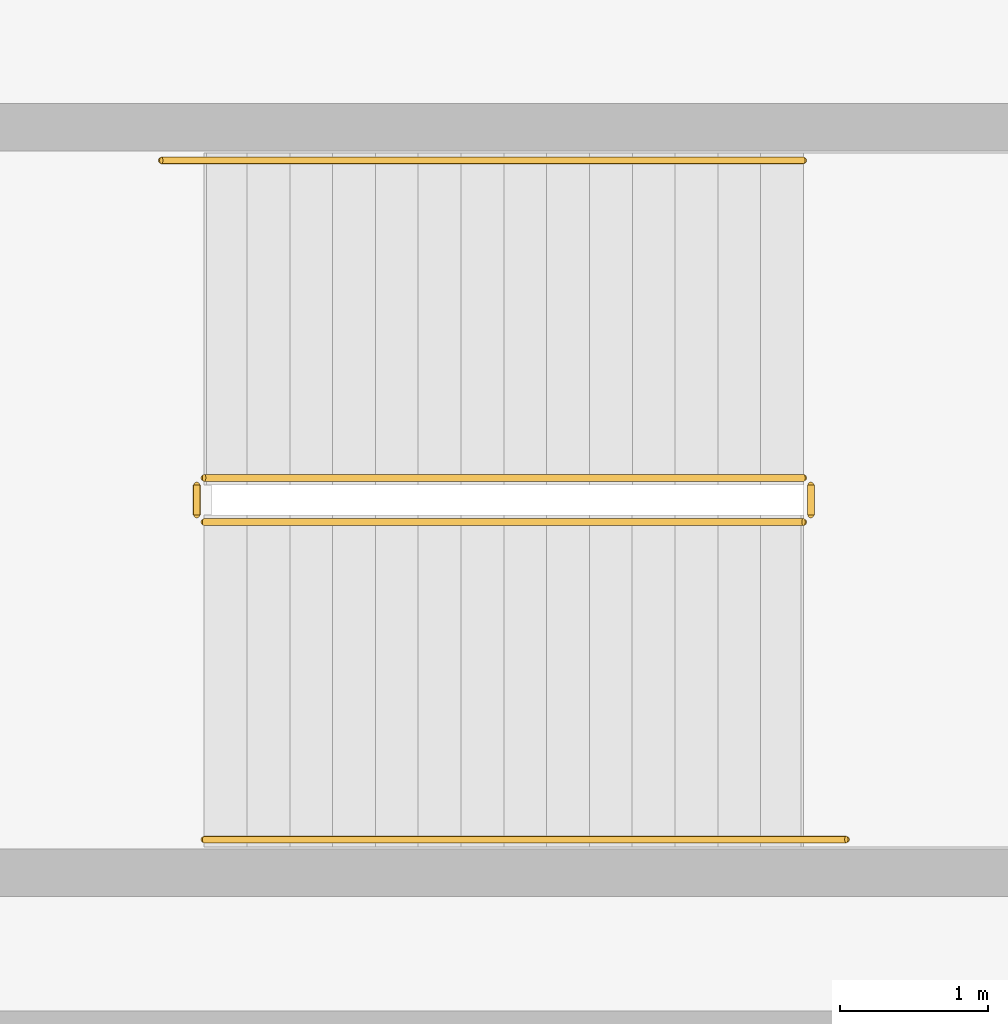
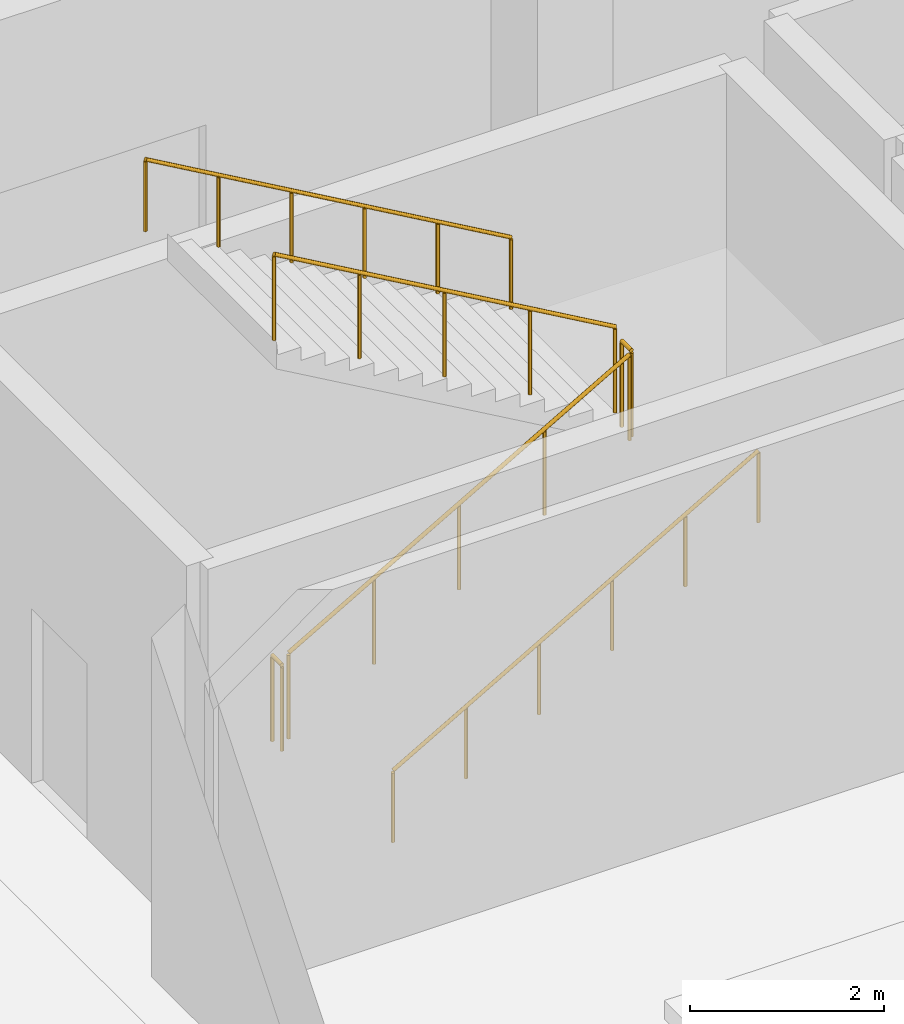
# One storey, part 85 of 88: 6 railings.
"""IFC4 building model written with IfcOpenShell, lengths in metres."""

from ifc_helpers import new_model, si_unit, direction, frame, origin, origin_2d, place, context, subcontext, project, spatial, circle, extrude, material, type_object, element, save


model = new_model("IFC4")

# Units and contexts
model_context = context("Model", 3, precision=1e-05, world=origin(), true_north=direction((0.0, 1.0)))
body_context = subcontext(model_context, "Body", "Model", "MODEL_VIEW")
ifc_project = project(units=[si_unit("LENGTHUNIT", "METRE"), si_unit("AREAUNIT", "SQUARE_METRE"), si_unit("VOLUMEUNIT", "CUBIC_METRE"), si_unit("PLANEANGLEUNIT", "RADIAN"), si_unit("MASSUNIT", "GRAM", prefix="KILO")], contexts=[model_context])

# Site, building, storey
site_placement = place(None, origin())
site = spatial("IfcSite", under=ifc_project, at=site_placement, CompositionType="ELEMENT")
building_placement = place(site_placement, origin())
building = spatial("IfcBuilding", under=site, at=building_placement, Name="Trimount Lyric Opera House", CompositionType="ELEMENT")
storey_placement = place(building_placement, origin())
storey = spatial("IfcBuildingStorey", under=building, at=storey_placement, Name="L00", CompositionType="ELEMENT", Elevation=0.0)

# Railings
ifc_material_1 = material(Name="Brushed Stainless Steel 316", Category="steel")
railing_type_1 = type_object("IfcRailingType", Name="RL-GRD110", PredefinedType="GUARDRAIL", material=ifc_material_1)
railing_1_placement = place(storey_placement, frame((67.050048828125, 110.60009765625, 0.166748046875)))
element("IfcRailing", 1, at=railing_1_placement, inside=storey, type_object=railing_type_1, Name="L00 ST-01 stair guard 1", PredefinedType="GUARDRAIL", context=body_context, shape_type="SweptSolid", body=[
    extrude(circle(Radius=0.02392578125, at=origin_2d()), frame((0.0, 0.0, 1.076171875), z_axis=(0.867024558463, 0.0, 0.498265406207), x_axis=(0.0, 1.0, 0.0)), (0.0, 0.0, 1.0), 4.682861328125),
    extrude(circle(Radius=0.02099609375, at=origin_2d()), origin(), (0.0, 0.0, 1.0), 1.052001953125),
    extrude(circle(Radius=0.02099609375, at=origin_2d()), frame((1.01513671875, 0.0, 0.583251953125)), (0.0, 0.0, 1.0), 1.052001953125),
    extrude(circle(Radius=0.02099609375, at=origin_2d()), frame((2.030029296875, 0.0, 1.16650390625)), (0.0, 0.0, 1.0), 1.052001953125),
    extrude(circle(Radius=0.02099609375, at=origin_2d()), frame((3.044921875, 0.0, 1.75)), (0.0, 0.0, 1.0), 1.052001953125),
    extrude(circle(Radius=0.02099609375, at=origin_2d()), frame((4.06005859375, 0.0, 2.333251953125)), (0.0, 0.0, 1.0), 1.052001953125),
])
railing_2_placement = place(storey_placement, frame((71.159912109375, 110.64990234375, 2.5)))
element("IfcRailing", 2, at=railing_2_placement, inside=storey, type_object=railing_type_1, Name="L00 ST-01 stair guard 2", PredefinedType="GUARDRAIL", context=body_context, shape_type="SweptSolid", body=[
    extrude(circle(Radius=0.02392578125, at=origin_2d()), frame((0.0, 0.0, 1.076171875), z_axis=(0.0, 1.0, 0.0), x_axis=(-1.0, 0.0, 0.0)), (0.0, 0.0, 1.0), 0.2001953125),
    extrude(circle(Radius=0.02099609375, at=origin_2d()), origin(), (0.0, 0.0, 1.0), 1.052001953125),
    extrude(circle(Radius=0.02099609375, at=origin_2d()), frame((0.0, 0.2001953125, 0.0)), (0.0, 0.0, 1.0), 1.052001953125),
])
railing_3_placement = place(storey_placement, frame((71.110107421875, 110.89990234375, 2.666748046875)))
element("IfcRailing", 3, at=railing_3_placement, inside=storey, type_object=railing_type_1, Name="L00 ST-01 stair guard 3", PredefinedType="GUARDRAIL", context=body_context, shape_type="SweptSolid", body=[
    extrude(circle(Radius=0.02392578125, at=origin_2d()), frame((0.0, 0.0, 1.076171875), z_axis=(-0.867024558463, 0.0, 0.498265406207), x_axis=(0.0, -1.0, 0.0)), (0.0, 0.0, 1.0), 4.682861328125),
    extrude(circle(Radius=0.02099609375, at=origin_2d()), origin(), (0.0, 0.0, 1.0), 1.052001953125),
    extrude(circle(Radius=0.02099609375, at=origin_2d()), frame((-1.01513671875, 0.0, 0.583251953125)), (0.0, 0.0, 1.0), 1.052001953125),
    extrude(circle(Radius=0.02099609375, at=origin_2d()), frame((-2.030029296875, 0.0, 1.16650390625)), (0.0, 0.0, 1.0), 1.052001953125),
    extrude(circle(Radius=0.02099609375, at=origin_2d()), frame((-3.044921875, 0.0, 1.75)), (0.0, 0.0, 1.0), 1.052001953125),
    extrude(circle(Radius=0.02099609375, at=origin_2d()), frame((-4.06005859375, 0.0, 2.333251953125)), (0.0, 0.0, 1.0), 1.052001953125),
])
railing_4_placement = place(storey_placement, frame((67.0, 110.64990234375, 0.0)))
element("IfcRailing", 4, at=railing_4_placement, inside=storey, type_object=railing_type_1, Name="L00 ST-01 stair guard 4", PredefinedType="GUARDRAIL", context=body_context, shape_type="SweptSolid", body=[
    extrude(circle(Radius=0.02392578125, at=origin_2d()), frame((0.0, 0.0, 1.076171875), z_axis=(0.0, 1.0, 0.0), x_axis=(-1.0, 0.0, 0.0)), (0.0, 0.0, 1.0), 0.2001953125),
    extrude(circle(Radius=0.02099609375, at=origin_2d()), origin(), (0.0, 0.0, 1.0), 1.052001953125),
    extrude(circle(Radius=0.02099609375, at=origin_2d()), frame((0.0, 0.2001953125, 0.0)), (0.0, 0.0, 1.0), 1.052001953125),
])
ifc_material_2 = material(Name="Brushed Stainless Steel 316", Category="steel")
railing_type_2 = type_object("IfcRailingType", Name="RL-HND092", PredefinedType="HANDRAIL", material=ifc_material_2)
railing_5_placement = place(storey_placement, frame((67.050048828125, 108.449951171875, 0.166748046875)))
element("IfcRailing", 5, at=railing_5_placement, inside=storey, type_object=railing_type_2, Name="L00 ST-01 stair handrail 1", PredefinedType="HANDRAIL", context=body_context, shape_type="SweptSolid", body=[
    extrude(circle(Radius=0.0224609375, at=origin_2d()), frame((0.0, 0.0, 0.8974609375), z_axis=(0.866754379005, 0.0, 0.498735246875), x_axis=(0.0, 1.0, 0.0)), (0.0, 0.0, 1.0), 5.0185546875),
    extrude(circle(Radius=0.02099609375, at=origin_2d()), origin(), (0.0, 0.0, 1.0), 0.875),
    extrude(circle(Radius=0.02099609375, at=origin_2d()), frame((0.869873046875, 0.0, 0.50048828125)), (0.0, 0.0, 1.0), 0.875),
    extrude(circle(Radius=0.02099609375, at=origin_2d()), frame((1.739990234375, 0.0, 1.001220703125)), (0.0, 0.0, 1.0), 0.875),
    extrude(circle(Radius=0.02099609375, at=origin_2d()), frame((2.60986328125, 0.0, 1.501708984375)), (0.0, 0.0, 1.0), 0.875),
    extrude(circle(Radius=0.02099609375, at=origin_2d()), frame((3.47998046875, 0.0, 2.00244140625)), (0.0, 0.0, 1.0), 0.875),
    extrude(circle(Radius=0.02099609375, at=origin_2d()), frame((4.349853515625, 0.0, 2.5029296875)), (0.0, 0.0, 1.0), 0.875),
])
railing_6_placement = place(storey_placement, frame((71.110107421875, 113.050048828125, 2.666748046875)))
element("IfcRailing", 6, at=railing_6_placement, inside=storey, type_object=railing_type_2, Name="L00 ST-01 stair handrail 2", PredefinedType="HANDRAIL", context=body_context, shape_type="SweptSolid", body=[
    extrude(circle(Radius=0.0224609375, at=origin_2d()), frame((0.0, 0.0, 0.8974609375), z_axis=(-0.866766478692, 0.0, 0.498714218181), x_axis=(0.0, -1.0, 0.0)), (0.0, 0.0, 1.0), 5.018798828125),
    extrude(circle(Radius=0.02099609375, at=origin_2d()), origin(), (0.0, 0.0, 1.0), 0.875),
    extrude(circle(Radius=0.02099609375, at=origin_2d()), frame((-0.8701171875, 0.0, 0.50048828125)), (0.0, 0.0, 1.0), 0.875),
    extrude(circle(Radius=0.02099609375, at=origin_2d()), frame((-1.739990234375, 0.0, 1.001220703125)), (0.0, 0.0, 1.0), 0.875),
    extrude(circle(Radius=0.02099609375, at=origin_2d()), frame((-2.610107421875, 0.0, 1.501708984375)), (0.0, 0.0, 1.0), 0.875),
    extrude(circle(Radius=0.02099609375, at=origin_2d()), frame((-3.47998046875, 0.0, 2.00244140625)), (0.0, 0.0, 1.0), 0.875),
    extrude(circle(Radius=0.02099609375, at=origin_2d()), frame((-4.35009765625, 0.0, 2.5029296875)), (0.0, 0.0, 1.0), 0.875),
])

save(model, "model.ifc")
